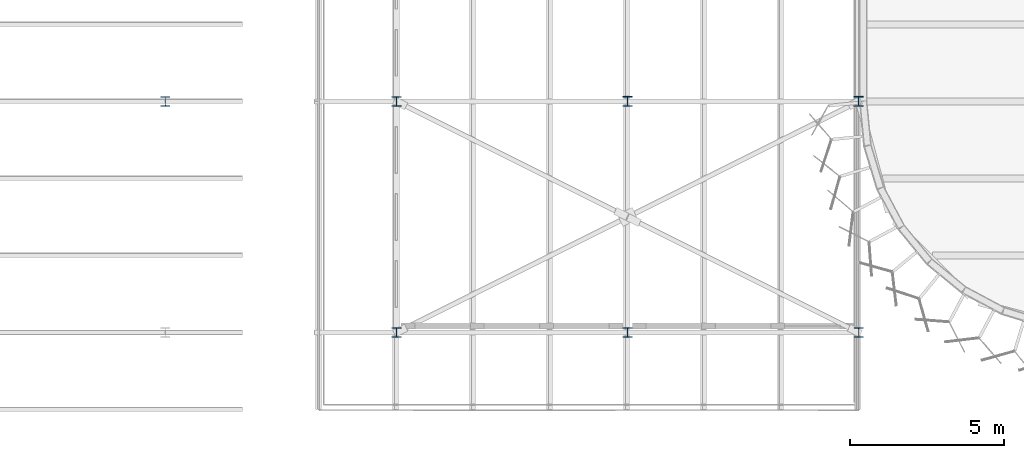
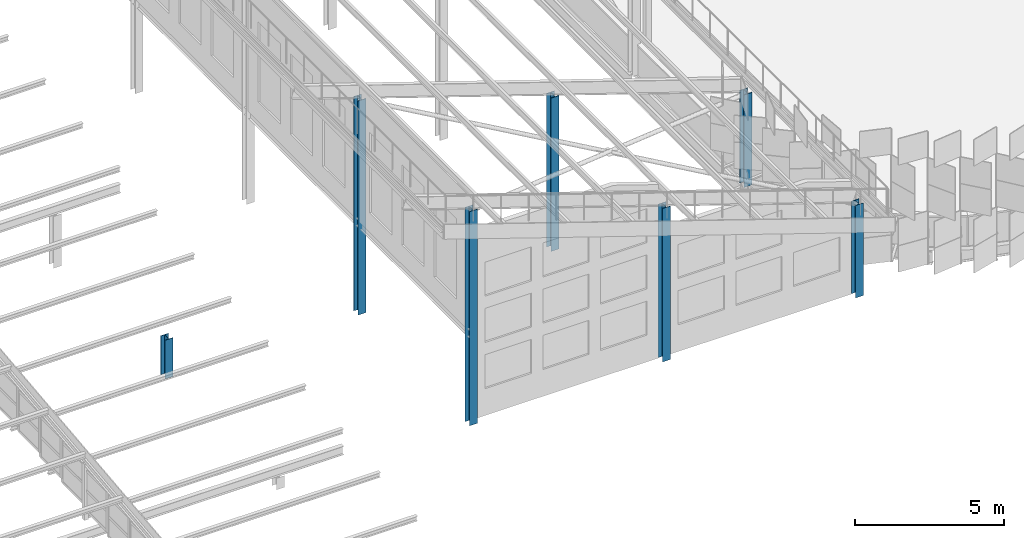
# One storey, part 9 of 483: 7 columns.
"""IFC4 building model written with IfcOpenShell, lengths in metres."""

from ifc_helpers import new_model, si_unit, direction, frame, origin, origin_2d, place, context, subcontext, project, spatial, i_section, extrude, material, material_profile, profile_set, type_object, element, save


model = new_model("IFC4")

# Units and contexts
model_context = context("Model", 3, precision=1e-05, world=origin(), true_north=direction((0.0, 1.0)))
body_context = subcontext(model_context, "Body", "Model", "MODEL_VIEW")
ifc_project = project(units=[si_unit("LENGTHUNIT", "METRE"), si_unit("AREAUNIT", "SQUARE_METRE"), si_unit("VOLUMEUNIT", "CUBIC_METRE"), si_unit("PLANEANGLEUNIT", "RADIAN"), si_unit("MASSUNIT", "GRAM", prefix="KILO")], contexts=[model_context])

# Site, building, storey
site_placement = place(None, origin())
site = spatial("IfcSite", under=ifc_project, at=site_placement, CompositionType="ELEMENT")
building_placement = place(site_placement, origin())
building = spatial("IfcBuilding", under=site, at=building_placement, Name="Parallax Yard Mobility Hub", CompositionType="ELEMENT")
storey_placement = place(building_placement, frame((0.0, 0.0, 13.199951171875)))
storey = spatial("IfcBuildingStorey", under=building, at=storey_placement, Name="L04", CompositionType="ELEMENT", Elevation=13.199951171875)

# Columns
ifc_material = material(Name="Steel ASTM A992", Category="steel")
ifc_material_profile_1 = material_profile(ifc_material, i_section(OverallWidth=0.306884765625, OverallDepth=0.318115234375, WebThickness=0.01318359375, FlangeThickness=0.0205078125, FilletRadius=0.01513671875, at=origin_2d()), Name="W310x129")
ifc_profile_set_1 = profile_set([ifc_material_profile_1], Name="Steel ASTM A992")
column_type_1 = type_object("IfcColumnType", Name="W310x129 column", PredefinedType="COLUMN", material=ifc_profile_set_1)
column_1_placement = place(storey_placement, frame((195.0, 30.0, 0.0), z_axis=(0.0, 0.0, 1.0), x_axis=(1.0, 0.0, 0.0)))
element("IfcColumn", 1, at=column_1_placement, inside=storey, type_object=column_type_1, Name="Roof column 30/195 level L04", PredefinedType="COLUMN", context=body_context, shape_type="SweptSolid", body=[
    extrude(i_section(OverallWidth=0.306884765625, OverallDepth=0.318115234375, WebThickness=0.01318359375, FlangeThickness=0.0205078125, FilletRadius=0.01513671875, at=origin_2d()), origin(), (0.0, 0.0, 1.0), 3.800048828125),
])
ifc_material_profile_2 = material_profile(ifc_material, i_section(OverallWidth=0.31005859375, OverallDepth=0.327880859375, WebThickness=0.015380859375, FlangeThickness=0.025146484375, FilletRadius=0.015380859375, at=origin_2d()), Name="W310x158")
ifc_profile_set_2 = profile_set([ifc_material_profile_2], Name="Steel ASTM A992")
column_type_2 = type_object("IfcColumnType", Name="W310x158 column", PredefinedType="COLUMN", material=ifc_profile_set_2)
column_2_placement = place(storey_placement, frame((187.5, 30.0, 0.0), z_axis=(0.0, 0.0, 1.0), x_axis=(1.0, 0.0, 0.0)))
element("IfcColumn", 2, at=column_2_placement, inside=storey, type_object=column_type_2, Name="Roof column E/26 level L04", PredefinedType="COLUMN", context=body_context, shape_type="SweptSolid", body=[
    extrude(i_section(OverallWidth=0.31005859375, OverallDepth=0.327880859375, WebThickness=0.015380859375, FlangeThickness=0.025146484375, FilletRadius=0.015380859375, at=origin_2d()), origin(), (0.0, 0.0, 1.0), 6.300048828125),
])
ifc_material_profile_3 = material_profile(ifc_material, i_section(OverallWidth=0.304931640625, OverallDepth=0.306884765625, WebThickness=0.010009765625, FlangeThickness=0.015380859375, FilletRadius=0.01513671875, at=origin_2d()), Name="W310x97")
ifc_profile_set_3 = profile_set([ifc_material_profile_3], Name="Steel ASTM A992")
column_type_3 = type_object("IfcColumnType", Name="W310x97 column", PredefinedType="COLUMN", material=ifc_profile_set_3)
column_3_placement = place(storey_placement, frame((172.5, 30.0, 0.0), z_axis=(0.0, 0.0, 1.0), x_axis=(1.0, 0.0, 0.0)))
element("IfcColumn", 3, at=column_3_placement, inside=storey, type_object=column_type_3, Name="Roof column E/24 level L04", PredefinedType="COLUMN", context=body_context, shape_type="SweptSolid", body=[
    extrude(i_section(OverallWidth=0.304931640625, OverallDepth=0.306884765625, WebThickness=0.010009765625, FlangeThickness=0.015380859375, FilletRadius=0.01513671875, at=origin_2d()), origin(), (0.0, 0.0, 1.0), 1.594970703125),
])
for number, where, z_axis, x_axis, name in (
    (4, (180.0, 22.5, 0.0), (0.0, 0.0, 1.0), (1.0, 0.0, 0.0), "Roof column D/25 level L04"),
    (5, (180.0, 30.0, 0.0), (0.0, 0.0, 1.0), (1.0, 0.0, 0.0), "Roof column E/25 level L04"),
):
    element("IfcColumn", number, at=place(storey_placement, frame(where, z_axis=z_axis, x_axis=x_axis)), inside=storey, type_object=column_type_3, Name=name, PredefinedType="COLUMN", context=body_context, shape_type="SweptSolid", body=[
        extrude(i_section(OverallWidth=0.304931640625, OverallDepth=0.306884765625, WebThickness=0.010009765625, FlangeThickness=0.015380859375, FilletRadius=0.01513671875, at=origin_2d()), origin(), (0.0, 0.0, 1.0), 8.800048828125),
    ])
column_4_placement = place(storey_placement, frame((187.5, 22.5, 0.0), z_axis=(0.0, 0.0, 1.0), x_axis=(1.0, 0.0, 0.0)))
element("IfcColumn", 6, at=column_4_placement, inside=storey, type_object=column_type_3, Name="Roof column D/26 level L04", PredefinedType="COLUMN", context=body_context, shape_type="SweptSolid", body=[
    extrude(i_section(OverallWidth=0.304931640625, OverallDepth=0.306884765625, WebThickness=0.010009765625, FlangeThickness=0.015380859375, FilletRadius=0.01513671875, at=origin_2d()), origin(), (0.0, 0.0, 1.0), 6.300048828125),
])
column_5_placement = place(storey_placement, frame((195.0, 22.5, 0.0), z_axis=(0.0, 0.0, 1.0), x_axis=(1.0, 0.0, 0.0)))
element("IfcColumn", 7, at=column_5_placement, inside=storey, type_object=column_type_3, Name="Roof column D/27 level L04", PredefinedType="COLUMN", context=body_context, shape_type="SweptSolid", body=[
    extrude(i_section(OverallWidth=0.304931640625, OverallDepth=0.306884765625, WebThickness=0.010009765625, FlangeThickness=0.015380859375, FilletRadius=0.01513671875, at=origin_2d()), origin(), (0.0, 0.0, 1.0), 3.800048828125),
])

save(model, "model.ifc")
